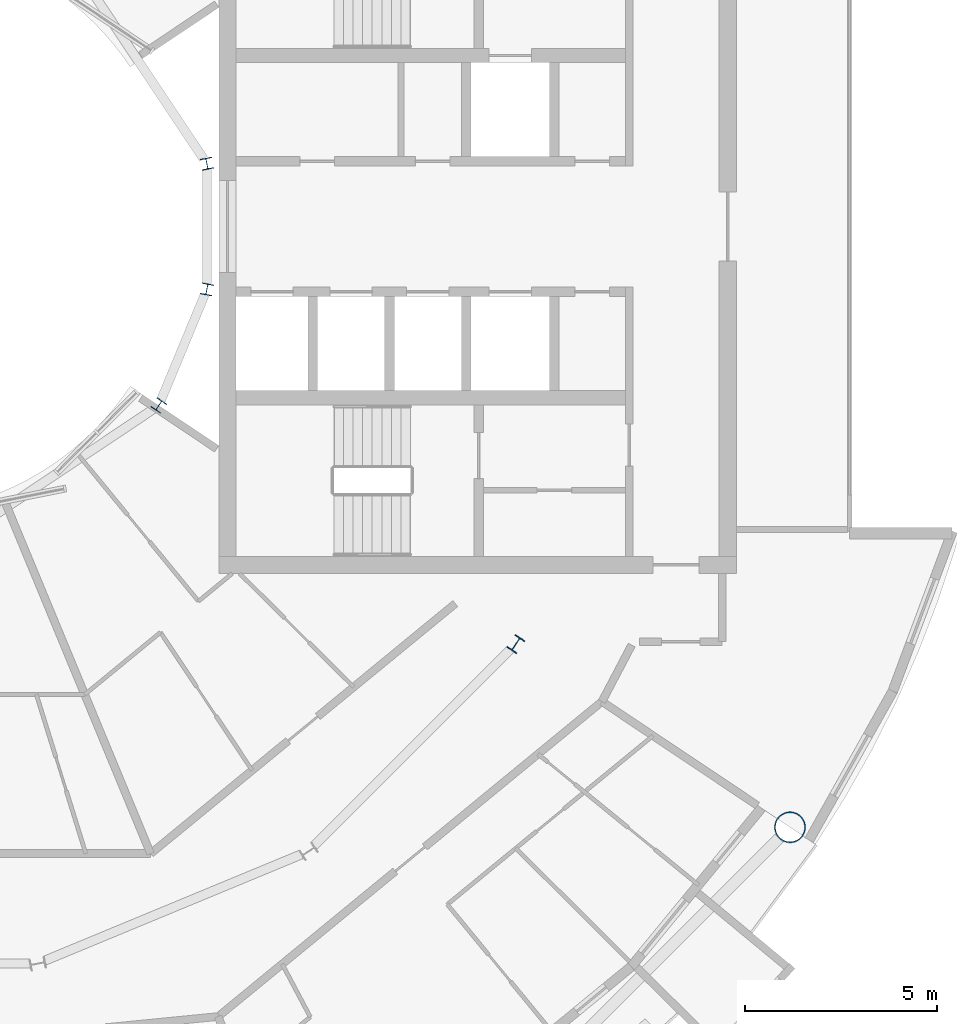
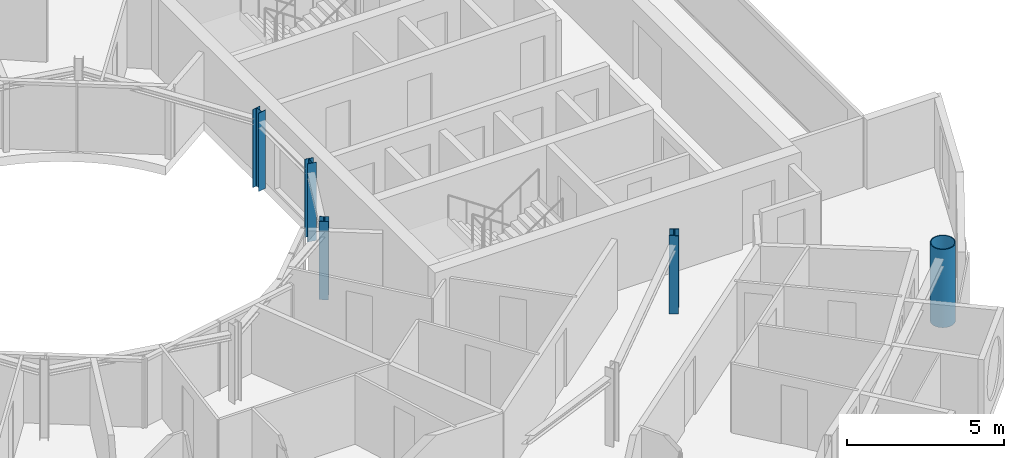
# One storey, part 3 of 29: 5 columns.
"""IFC4 building model written with IfcOpenShell, lengths in metres."""

from ifc_helpers import new_model, si_unit, direction, frame, origin, origin_2d, place, context, subcontext, project, spatial, hollow_circle, i_section, extrude, material, material_profile, profile_set, type_object, element, save


model = new_model("IFC4")

# Units and contexts
model_context = context("Model", 3, precision=1e-05, world=origin(), true_north=direction((0.0, 1.0)))
body_context = subcontext(model_context, "Body", "Model", "MODEL_VIEW")
ifc_project = project(units=[si_unit("LENGTHUNIT", "METRE"), si_unit("AREAUNIT", "SQUARE_METRE"), si_unit("VOLUMEUNIT", "CUBIC_METRE"), si_unit("PLANEANGLEUNIT", "RADIAN"), si_unit("MASSUNIT", "GRAM", prefix="KILO")], contexts=[model_context])

# Site, building, storey
site_placement = place(None, origin())
site = spatial("IfcSite", under=ifc_project, at=site_placement, CompositionType="ELEMENT")
building_placement = place(site_placement, origin())
building = spatial("IfcBuilding", under=site, at=building_placement, Name="Maasbend Ring Residences", CompositionType="ELEMENT")
storey_placement = place(building_placement, frame((0.0, 0.0, 202.39990234375)))
storey = spatial("IfcBuildingStorey", under=building, at=storey_placement, Name="L58", CompositionType="ELEMENT", Elevation=202.39990234375)

# Columns
ifc_material_1 = material(Name="Composite concrete-filled steel tube S460NH / C80/95", Category="concrete")
ifc_material_profile_1 = material_profile(ifc_material_1, hollow_circle(Radius=0.406494140625, WallThickness=0.030029296875, at=origin_2d()), Name="Composite tube column CHS 813x30")
ifc_profile_set_1 = profile_set([ifc_material_profile_1], Name="Composite concrete-filled steel tube S460NH / C80/95")
column_type_1 = type_object("IfcColumnType", Name="Composite tube column CHS 813x30", PredefinedType="COLUMN", material=ifc_profile_set_1)
column_1_placement = place(storey_placement, frame((23.447509765625, -15.6669921875, 0.0), z_axis=(0.0, 0.0, 1.0), x_axis=(1.0, 0.0, 0.0)))
element("IfcColumn", 1, at=column_1_placement, inside=storey, type_object=column_type_1, Name="Outer column R15", PredefinedType="COLUMN", context=body_context, shape_type="SweptSolid", body=[
    extrude(hollow_circle(Radius=0.406494140625, WallThickness=0.030029296875, at=origin_2d()), origin(), (0.0, 0.0, 1.0), 3.050048828125),
])
ifc_material_2 = material(Name="Steel S355J2", Category="steel")
ifc_material_profile_2 = material_profile(ifc_material_2, i_section(OverallWidth=0.300048828125, OverallDepth=0.2900390625, WebThickness=0.008544921875, FlangeThickness=0.013916015625, FilletRadius=0.027099609375, at=origin_2d()), Name="HEA 300")
ifc_profile_set_2 = profile_set([ifc_material_profile_2], Name="Steel S355J2")
column_type_2 = type_object("IfcColumnType", Name="Steel column HEA 300", PredefinedType="COLUMN", material=ifc_profile_set_2)
for number, where, z_axis, x_axis, name in (
    (2, (8.238525390625, 1.638916015625, 0.0), (0.0, 0.0, 1.0), (0.980785280403, 0.195090322016, 0.0), "Well ring column R1"),
    (3, (6.984375, -4.666748046875, 0.0), (0.0, 0.0, 1.0), (0.831469612303, -0.55557023302, 0.0), "Well ring column R15"),
    (4, (8.238525390625, -1.638916015625, 0.0), (0.0, 0.0, 1.0), (0.980785280403, -0.195090322016, 0.0), "Well ring column R16"),
):
    element("IfcColumn", number, at=place(storey_placement, frame(where, z_axis=z_axis, x_axis=x_axis)), inside=storey, type_object=column_type_2, Name=name, PredefinedType="COLUMN", context=body_context, shape_type="SweptSolid", body=[
        extrude(i_section(OverallWidth=0.300048828125, OverallDepth=0.2900390625, WebThickness=0.008544921875, FlangeThickness=0.013916015625, FilletRadius=0.027099609375, at=origin_2d()), origin(), (0.0, 0.0, 1.0), 3.050048828125),
    ])
ifc_material_3 = material(Name="Steel S355J2", Category="steel")
ifc_material_profile_3 = material_profile(ifc_material_3, i_section(OverallWidth=0.300048828125, OverallDepth=0.39990234375, WebThickness=0.013427734375, FlangeThickness=0.02392578125, FilletRadius=0.027099609375, at=origin_2d()), Name="HEB 400")
ifc_profile_set_3 = profile_set([ifc_material_profile_3], Name="Steel S355J2")
column_type_3 = type_object("IfcColumnType", Name="Steel column HEB 400", PredefinedType="COLUMN", material=ifc_profile_set_3)
column_2_placement = place(storey_placement, frame((16.296875, -10.88916015625, 0.0), z_axis=(0.0, 0.0, 1.0), x_axis=(0.831469612303, -0.55557023302, 0.0)))
element("IfcColumn", 5, at=column_2_placement, inside=storey, type_object=column_type_3, Name="Corridor ring column R15", PredefinedType="COLUMN", context=body_context, shape_type="SweptSolid", body=[
    extrude(i_section(OverallWidth=0.300048828125, OverallDepth=0.39990234375, WebThickness=0.013427734375, FlangeThickness=0.02392578125, FilletRadius=0.027099609375, at=origin_2d()), origin(), (0.0, 0.0, 1.0), 3.050048828125),
])

save(model, "model.ifc")
